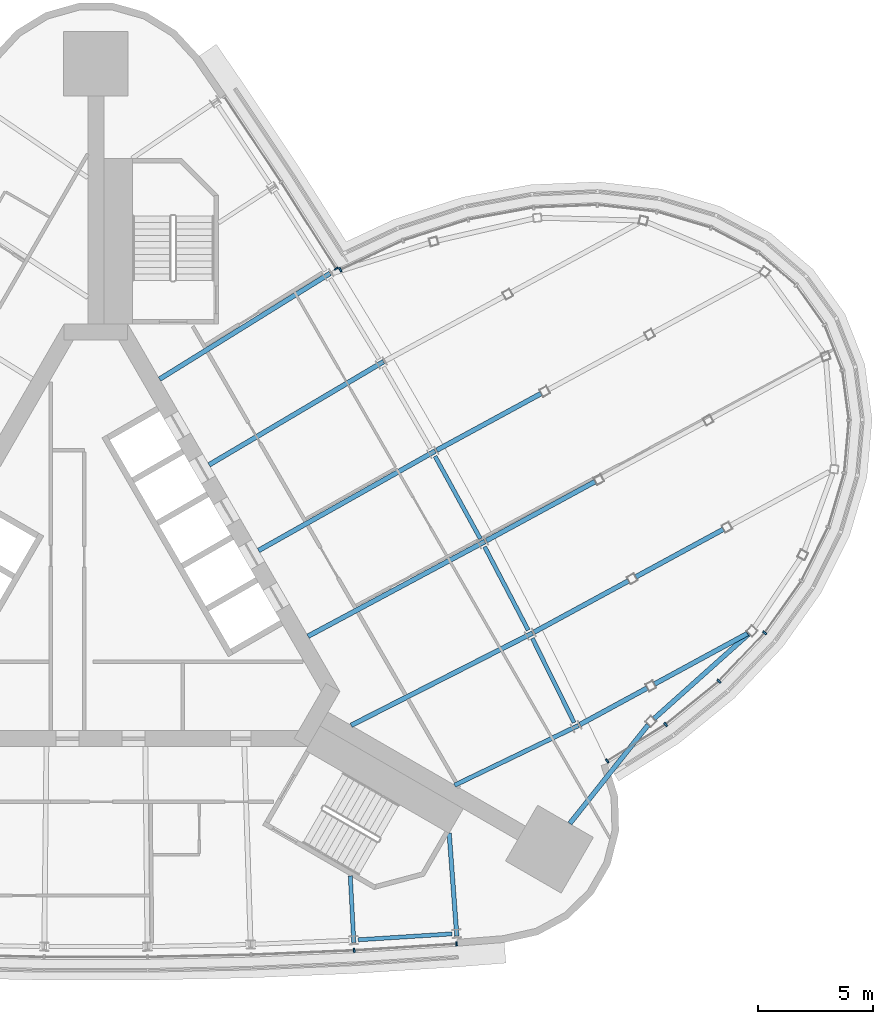
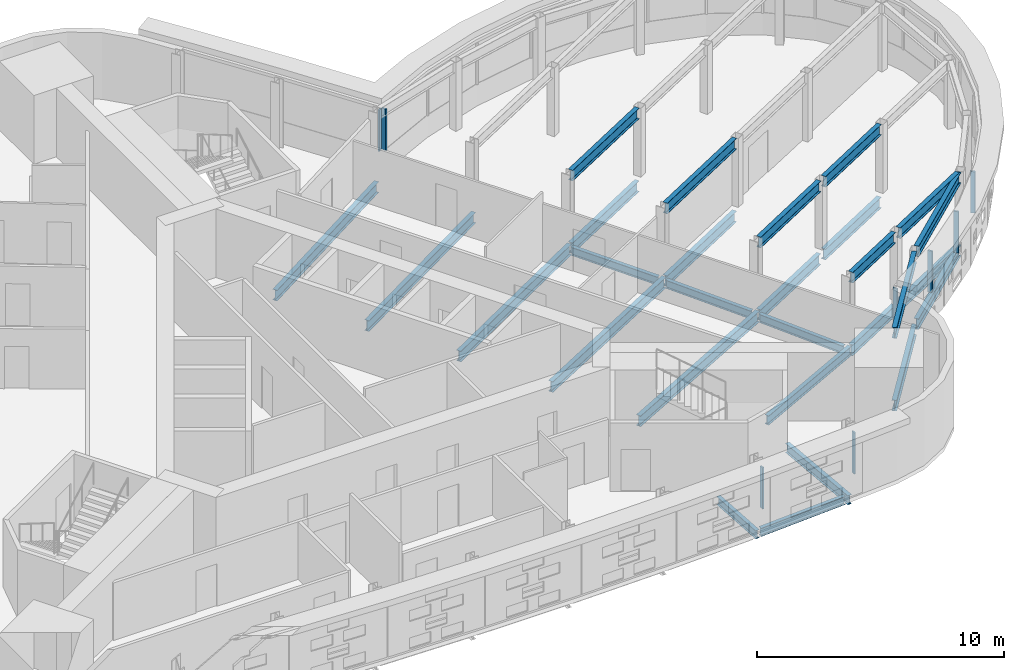
# One storey, part 6 of 15: 28 beams, 8 members, 3 elements without a shape of their own.
"""IFC4 building model written with IfcOpenShell, lengths in metres."""

from ifc_helpers import new_model, si_unit, direction, frame, origin, origin_2d, place, context, subcontext, project, spatial, rectangle, i_section, extrude, material, material_profile, profile_set, type_object, element, aggregate, save


model = new_model("IFC4")

# Units and contexts
model_context = context("Model", 3, precision=1e-05, world=origin(), true_north=direction((0.0, 1.0)))
body_context = subcontext(model_context, "Body", "Model", "MODEL_VIEW")
ifc_project = project(units=[si_unit("LENGTHUNIT", "METRE"), si_unit("AREAUNIT", "SQUARE_METRE"), si_unit("VOLUMEUNIT", "CUBIC_METRE"), si_unit("PLANEANGLEUNIT", "RADIAN"), si_unit("MASSUNIT", "GRAM", prefix="KILO")], contexts=[model_context])

# Site, building, storey
site_placement = place(None, origin())
site = spatial("IfcSite", under=ifc_project, at=site_placement, CompositionType="ELEMENT")
building_placement = place(site_placement, origin())
building = spatial("IfcBuilding", under=site, at=building_placement, Name="Noor Cloister Tower", CompositionType="ELEMENT")
storey_placement = place(building_placement, frame((0.0, 0.0, 181.5)))
storey = spatial("IfcBuildingStorey", under=building, at=storey_placement, Name="L46", CompositionType="ELEMENT", Elevation=181.5)

# Curtain wall, members
ifc_material_1 = material(Name="Aluminium 6063-T6 anodised", Category="aluminium")
curtain_wall_type_1 = type_object("IfcCurtainWallType", Name="Sky bar curtain wall, lower bars CW2", PredefinedType="NOTDEFINED", material=ifc_material_1)
curtain_wall_1_placement = place(storey_placement, origin())
curtain_wall_1 = element("IfcCurtainWall", 1, at=curtain_wall_1_placement, inside=storey, type_object=curtain_wall_type_1, Name="CW2 L46 NE sky bar run 3", PredefinedType="NOTDEFINED")
ifc_material_2 = material(Name="Aluminium 6063-T6 anodised", Category="aluminium")
ifc_material_profile_1 = material_profile(ifc_material_2, rectangle(XDim=0.199951171875, YDim=0.080078125, at=origin_2d()), Name="200 x 80 mullion")
ifc_profile_set_1 = profile_set([ifc_material_profile_1], Name="Aluminium 6063-T6 anodised")
member_type_1 = type_object("IfcMemberType", Name="Mullion CW2 80 x 200", PredefinedType="MULLION", material=ifc_profile_set_1)
member_1_placement = place(storey_placement, frame((22.245849609375, -7.55615234375, 1.10009765625), z_axis=(0.0, 0.0, 1.0), x_axis=(-0.530209130186, 0.84786689891, 0.0)))
member_1 = element("IfcMember", 2, at=member_1_placement, type_object=member_type_1, Name="CW2 mullion 1", PredefinedType="MULLION", context=body_context, shape_type="SweptSolid", body=[
    extrude(rectangle(XDim=0.199951171875, YDim=0.080078125, at=origin_2d()), origin(), (0.0, 0.0, 1.0), 2.0498046875),
])
member_2_placement = place(storey_placement, frame((24.7880859375, -5.966552734375, 1.10009765625), z_axis=(0.0, 0.0, 1.0), x_axis=(-0.581874396792, 0.81327866464, 0.0)))
member_2 = element("IfcMember", 3, at=member_2_placement, type_object=member_type_1, Name="CW2 mullion 2", PredefinedType="MULLION", context=body_context, shape_type="SweptSolid", body=[
    extrude(rectangle(XDim=0.199951171875, YDim=0.080078125, at=origin_2d()), origin(), (0.0, 0.0, 1.0), 2.0498046875),
])
member_3_placement = place(storey_placement, frame((27.103271484375, -4.08203125, 1.10009765625), z_axis=(0.0, 0.0, 1.0), x_axis=(-0.680412465935, 0.732829363632, 0.0)))
member_3 = element("IfcMember", 4, at=member_3_placement, type_object=member_type_1, Name="CW2 mullion 3", PredefinedType="MULLION", context=body_context, shape_type="SweptSolid", body=[
    extrude(rectangle(XDim=0.199951171875, YDim=0.080078125, at=origin_2d()), origin(), (0.0, 0.0, 1.0), 2.0498046875),
])
member_4_placement = place(storey_placement, frame((29.092041015625, -1.978271484375, 1.10009765625), z_axis=(0.0, 0.0, 1.0), x_axis=(-0.773025810349, 0.63437457116, 0.0)))
member_4 = element("IfcMember", 5, at=member_4_placement, type_object=member_type_1, Name="CW2 mullion 4", PredefinedType="MULLION", context=body_context, shape_type="SweptSolid", body=[
    extrude(rectangle(XDim=0.199951171875, YDim=0.080078125, at=origin_2d()), origin(), (0.0, 0.0, 1.0), 2.0498046875),
])
member_5_placement = place(storey_placement, frame((10.63671875, 13.81494140625, 1.10009765625), z_axis=(0.0, 0.0, 1.0), x_axis=(0.42267033408, -0.906283503485, 0.0)))
member_5 = element("IfcMember", 6, at=member_5_placement, type_object=member_type_1, Name="CW2 mullion 19", PredefinedType="MULLION", context=body_context, shape_type="SweptSolid", body=[
    extrude(rectangle(XDim=0.199951171875, YDim=0.080078125, at=origin_2d()), origin(), (0.0, 0.0, 1.0), 2.0498046875),
])
aggregate(curtain_wall_1, [member_1, member_2, member_3, member_4, member_5])

ifc_material_3 = material(Name="Aluminium 6063-T6 anodised", Category="aluminium")
curtain_wall_type_2 = type_object("IfcCurtainWallType", Name="Ribbon curtain wall, upper tower CW5", PredefinedType="NOTDEFINED", material=ifc_material_3)
curtain_wall_2_placement = place(storey_placement, origin())
curtain_wall_2 = element("IfcCurtainWall", 7, at=curtain_wall_2_placement, inside=storey, type_object=curtain_wall_type_2, Name="CW5 L46 S run 2", PredefinedType="NOTDEFINED")
ifc_material_4 = material(Name="Aluminium 6063-T6 anodised", Category="aluminium")
ifc_material_profile_2 = material_profile(ifc_material_4, rectangle(XDim=0.179931640625, YDim=0.070068359375, at=origin_2d()), Name="180 x 70 mullion")
ifc_profile_set_2 = profile_set([ifc_material_profile_2], Name="Aluminium 6063-T6 anodised")
member_type_2 = type_object("IfcMemberType", Name="Mullion CW5 70 x 180", PredefinedType="MULLION", material=ifc_profile_set_2)
member_6_placement = place(storey_placement, frame((11.239501953125, -15.797607421875, 1.10009765625), z_axis=(0.0, 0.0, 1.0), x_axis=(-0.052929225413, 0.99859826612, 0.0)))
member_6 = element("IfcMember", 8, at=member_6_placement, type_object=member_type_2, Name="CW5 mullion 7", PredefinedType="MULLION", context=body_context, shape_type="SweptSolid", body=[
    extrude(rectangle(XDim=0.179931640625, YDim=0.070068359375, at=origin_2d()), origin(), (0.0, 0.0, 1.0), 2.0498046875),
])
member_7_placement = place(storey_placement, frame((15.6943359375, -15.51416015625, 1.10009765625), z_axis=(0.0, 0.0, 1.0), x_axis=(-0.063502011378, 0.997981710529, 0.0)))
member_7 = element("IfcMember", 9, at=member_7_placement, type_object=member_type_2, Name="CW5 mullion 8", PredefinedType="MULLION", context=body_context, shape_type="SweptSolid", body=[
    extrude(rectangle(XDim=0.179931640625, YDim=0.070068359375, at=origin_2d()), origin(), (0.0, 0.0, 1.0), 2.0498046875),
])
aggregate(curtain_wall_2, [member_6, member_7])

# Curtain wall, member
curtain_wall_3_placement = place(storey_placement, origin())
curtain_wall_3 = element("IfcCurtainWall", 10, at=curtain_wall_3_placement, inside=storey, type_object=curtain_wall_type_2, Name="CW5 L46 NE run 4", PredefinedType="NOTDEFINED")
member_8_placement = place(storey_placement, frame((10.455078125, 13.864501953125, 1.10009765625), z_axis=(0.0, 0.0, 1.0), x_axis=(-0.844073158066, -0.536228033426, 0.0)))
member_8 = element("IfcMember", 11, at=member_8_placement, type_object=member_type_2, Name="CW5 mullion 1", PredefinedType="MULLION", context=body_context, shape_type="SweptSolid", body=[
    extrude(rectangle(XDim=0.179931640625, YDim=0.070068359375, at=origin_2d()), origin(), (0.0, 0.0, 1.0), 2.0498046875),
])
aggregate(curtain_wall_3, [member_8])

# Beams
ifc_material_5 = material(Name="Steel ASTM A992 Gr 50", Category="steel")
ifc_material_profile_3 = material_profile(ifc_material_5, i_section(OverallWidth=0.208984375, OverallDepth=0.532958984375, WebThickness=0.01025390625, FlangeThickness=0.015625, FilletRadius=0.0126953125, at=origin_2d()), Name="W530x92")
ifc_profile_set_3 = profile_set([ifc_material_profile_3], Name="Steel ASTM A992 Gr 50")
beam_type_1 = type_object("IfcBeamType", Name="Pod floor beam W530x92", PredefinedType="BEAM", material=ifc_profile_set_3)
beam_1_placement = place(storey_placement, frame((21.062255859375, -5.96826171875, -0.466552734375), z_axis=(0.878731403637, 0.477316582849, 0.0), x_axis=(-0.477316582849, 0.878731403637, 0.0)))
element("IfcBeam", 12, at=beam_1_placement, inside=storey, type_object=beam_type_1, Name="Pod floor beam 3 L46 line 1 span 1", PredefinedType="BEAM", context=body_context, shape_type="SweptSolid", body=[
    extrude(i_section(OverallWidth=0.208984375, OverallDepth=0.532958984375, WebThickness=0.01025390625, FlangeThickness=0.015625, FilletRadius=0.0126953125, at=origin_2d()), origin(), (0.0, 0.0, 1.0), 3.332275390625),
])
beam_2_placement = place(storey_placement, frame((24.303466796875, -4.207763671875, -0.466552734375), z_axis=(0.878705842278, 0.477363637855, 0.0), x_axis=(-0.477363637855, 0.878705842278, 0.0)))
element("IfcBeam", 13, at=beam_2_placement, inside=storey, type_object=beam_type_1, Name="Pod floor beam 3 L46 line 1 span 2", PredefinedType="BEAM", context=body_context, shape_type="SweptSolid", body=[
    extrude(i_section(OverallWidth=0.208984375, OverallDepth=0.532958984375, WebThickness=0.01025390625, FlangeThickness=0.015625, FilletRadius=0.0126953125, at=origin_2d()), origin(), (0.0, 0.0, 1.0), 4.598876953125),
])
beam_3_placement = place(storey_placement, frame((19.0673828125, -1.94775390625, -0.466552734375), z_axis=(0.878733977195, 0.477311844942, 0.0), x_axis=(-0.477311844942, 0.878733977195, 0.0)))
element("IfcBeam", 14, at=beam_3_placement, inside=storey, type_object=beam_type_1, Name="Pod floor beam 3 L46 line 2 span 1", PredefinedType="BEAM", context=body_context, shape_type="SweptSolid", body=[
    extrude(i_section(OverallWidth=0.208984375, OverallDepth=0.532958984375, WebThickness=0.01025390625, FlangeThickness=0.015625, FilletRadius=0.0126953125, at=origin_2d()), origin(), (0.0, 0.0, 1.0), 4.677490234375),
])
beam_4_placement = place(storey_placement, frame((23.49072265625, 0.454833984375, -0.466552734375), z_axis=(0.878709161334, 0.477357528262, 0.0), x_axis=(-0.477357528262, 0.878709161334, 0.0)))
element("IfcBeam", 15, at=beam_4_placement, inside=storey, type_object=beam_type_1, Name="Pod floor beam 3 L46 line 2 span 2", PredefinedType="BEAM", context=body_context, shape_type="SweptSolid", body=[
    extrude(i_section(OverallWidth=0.208984375, OverallDepth=0.532958984375, WebThickness=0.01025390625, FlangeThickness=0.015625, FilletRadius=0.0126953125, at=origin_2d()), origin(), (0.0, 0.0, 1.0), 4.339599609375),
])
beam_5_placement = place(storey_placement, frame((16.988037109375, 2.029541015625, -0.466552734375), z_axis=(0.87870749441, 0.477360596685, 0.0), x_axis=(-0.477360596685, 0.87870749441, 0.0)))
element("IfcBeam", 16, at=beam_5_placement, inside=storey, type_object=beam_type_1, Name="Pod floor beam 3 L46 line 3 span 1", PredefinedType="BEAM", context=body_context, shape_type="SweptSolid", body=[
    extrude(i_section(OverallWidth=0.208984375, OverallDepth=0.532958984375, WebThickness=0.01025390625, FlangeThickness=0.015625, FilletRadius=0.0126953125, at=origin_2d()), origin(), (0.0, 0.0, 1.0), 5.392578125),
])
beam_6_placement = place(storey_placement, frame((14.82763671875, 5.963623046875, -0.466552734375), z_axis=(0.878718305865, 0.477340694826, 0.0), x_axis=(-0.477340694826, 0.878718305865, 0.0)))
element("IfcBeam", 17, at=beam_6_placement, inside=storey, type_object=beam_type_1, Name="Pod floor beam 3 L46 line 4 span 1", PredefinedType="BEAM", context=body_context, shape_type="SweptSolid", body=[
    extrude(i_section(OverallWidth=0.208984375, OverallDepth=0.532958984375, WebThickness=0.01025390625, FlangeThickness=0.015625, FilletRadius=0.0126953125, at=origin_2d()), origin(), (0.0, 0.0, 1.0), 5.174560546875),
])
beam_7_placement = place(storey_placement, frame((20.621826171875, -10.271728515625, -0.466552734375), z_axis=(0.622107423709, 0.78293189574, 0.0), x_axis=(-0.78293189574, 0.622107423709, 0.0)))
element("IfcBeam", 18, at=beam_7_placement, inside=storey, type_object=beam_type_1, Name="Pod floor beam 3 L46 ring 1", PredefinedType="BEAM", context=body_context, shape_type="SweptSolid", body=[
    extrude(i_section(OverallWidth=0.208984375, OverallDepth=0.532958984375, WebThickness=0.01025390625, FlangeThickness=0.015625, FilletRadius=0.0126953125, at=origin_2d()), origin(), (0.0, 0.0, 1.0), 5.47265625),
])
beam_8_placement = place(storey_placement, frame((24.282470703125, -5.71484375, -0.466552734375), z_axis=(0.745362655337, 0.666659217313, 0.0), x_axis=(-0.666659217313, 0.745362655337, 0.0)))
element("IfcBeam", 19, at=beam_8_placement, inside=storey, type_object=beam_type_1, Name="Pod floor beam 3 L46 ring 2", PredefinedType="BEAM", context=body_context, shape_type="SweptSolid", body=[
    extrude(i_section(OverallWidth=0.208984375, OverallDepth=0.532958984375, WebThickness=0.01025390625, FlangeThickness=0.015625, FilletRadius=0.0126953125, at=origin_2d()), origin(), (0.0, 0.0, 1.0), 5.524658203125),
])
beam_9_placement = place(storey_placement, frame((21.062255859375, -5.96826171875, 3.133544921875), z_axis=(0.878731403637, 0.477316582849, 0.0), x_axis=(-0.477316582849, 0.878731403637, 0.0)))
element("IfcBeam", 20, at=beam_9_placement, inside=storey, type_object=beam_type_1, Name="Pod floor beam 3 L47 line 1 span 1", PredefinedType="BEAM", context=body_context, shape_type="SweptSolid", body=[
    extrude(i_section(OverallWidth=0.208984375, OverallDepth=0.532958984375, WebThickness=0.01025390625, FlangeThickness=0.015625, FilletRadius=0.0126953125, at=origin_2d()), origin(), (0.0, 0.0, 1.0), 3.332275390625),
])
beam_10_placement = place(storey_placement, frame((24.303466796875, -4.207763671875, 3.133544921875), z_axis=(0.878705842278, 0.477363637855, 0.0), x_axis=(-0.477363637855, 0.878705842278, 0.0)))
element("IfcBeam", 21, at=beam_10_placement, inside=storey, type_object=beam_type_1, Name="Pod floor beam 3 L47 line 1 span 2", PredefinedType="BEAM", context=body_context, shape_type="SweptSolid", body=[
    extrude(i_section(OverallWidth=0.208984375, OverallDepth=0.532958984375, WebThickness=0.01025390625, FlangeThickness=0.015625, FilletRadius=0.0126953125, at=origin_2d()), origin(), (0.0, 0.0, 1.0), 4.598876953125),
])
beam_11_placement = place(storey_placement, frame((19.0673828125, -1.94775390625, 3.133544921875), z_axis=(0.878733977195, 0.477311844942, 0.0), x_axis=(-0.477311844942, 0.878733977195, 0.0)))
element("IfcBeam", 22, at=beam_11_placement, inside=storey, type_object=beam_type_1, Name="Pod floor beam 3 L47 line 2 span 1", PredefinedType="BEAM", context=body_context, shape_type="SweptSolid", body=[
    extrude(i_section(OverallWidth=0.208984375, OverallDepth=0.532958984375, WebThickness=0.01025390625, FlangeThickness=0.015625, FilletRadius=0.0126953125, at=origin_2d()), origin(), (0.0, 0.0, 1.0), 4.677490234375),
])
beam_12_placement = place(storey_placement, frame((23.49072265625, 0.454833984375, 3.133544921875), z_axis=(0.878709161334, 0.477357528262, 0.0), x_axis=(-0.477357528262, 0.878709161334, 0.0)))
element("IfcBeam", 23, at=beam_12_placement, inside=storey, type_object=beam_type_1, Name="Pod floor beam 3 L47 line 2 span 2", PredefinedType="BEAM", context=body_context, shape_type="SweptSolid", body=[
    extrude(i_section(OverallWidth=0.208984375, OverallDepth=0.532958984375, WebThickness=0.01025390625, FlangeThickness=0.015625, FilletRadius=0.0126953125, at=origin_2d()), origin(), (0.0, 0.0, 1.0), 4.339599609375),
])
beam_13_placement = place(storey_placement, frame((16.988037109375, 2.029541015625, 3.133544921875), z_axis=(0.87870749441, 0.477360596685, 0.0), x_axis=(-0.477360596685, 0.87870749441, 0.0)))
element("IfcBeam", 24, at=beam_13_placement, inside=storey, type_object=beam_type_1, Name="Pod floor beam 3 L47 line 3 span 1", PredefinedType="BEAM", context=body_context, shape_type="SweptSolid", body=[
    extrude(i_section(OverallWidth=0.208984375, OverallDepth=0.532958984375, WebThickness=0.01025390625, FlangeThickness=0.015625, FilletRadius=0.0126953125, at=origin_2d()), origin(), (0.0, 0.0, 1.0), 5.392578125),
])
beam_14_placement = place(storey_placement, frame((14.82763671875, 5.963623046875, 3.133544921875), z_axis=(0.878718305865, 0.477340694826, 0.0), x_axis=(-0.477340694826, 0.878718305865, 0.0)))
element("IfcBeam", 25, at=beam_14_placement, inside=storey, type_object=beam_type_1, Name="Pod floor beam 3 L47 line 4 span 1", PredefinedType="BEAM", context=body_context, shape_type="SweptSolid", body=[
    extrude(i_section(OverallWidth=0.208984375, OverallDepth=0.532958984375, WebThickness=0.01025390625, FlangeThickness=0.015625, FilletRadius=0.0126953125, at=origin_2d()), origin(), (0.0, 0.0, 1.0), 5.174560546875),
])
beam_15_placement = place(storey_placement, frame((20.621826171875, -10.271728515625, 3.133544921875), z_axis=(0.622107423709, 0.78293189574, 0.0), x_axis=(-0.78293189574, 0.622107423709, 0.0)))
element("IfcBeam", 26, at=beam_15_placement, inside=storey, type_object=beam_type_1, Name="Pod floor beam 3 L47 ring 1", PredefinedType="BEAM", context=body_context, shape_type="SweptSolid", body=[
    extrude(i_section(OverallWidth=0.208984375, OverallDepth=0.532958984375, WebThickness=0.01025390625, FlangeThickness=0.015625, FilletRadius=0.0126953125, at=origin_2d()), origin(), (0.0, 0.0, 1.0), 5.47265625),
])
beam_16_placement = place(storey_placement, frame((24.282470703125, -5.71484375, 3.133544921875), z_axis=(0.745362655337, 0.666659217313, 0.0), x_axis=(-0.666659217313, 0.745362655337, 0.0)))
element("IfcBeam", 27, at=beam_16_placement, inside=storey, type_object=beam_type_1, Name="Pod floor beam 3 L47 ring 2", PredefinedType="BEAM", context=body_context, shape_type="SweptSolid", body=[
    extrude(i_section(OverallWidth=0.208984375, OverallDepth=0.532958984375, WebThickness=0.01025390625, FlangeThickness=0.015625, FilletRadius=0.0126953125, at=origin_2d()), origin(), (0.0, 0.0, 1.0), 5.524658203125),
])
ifc_material_6 = material(Name="Steel ASTM A992 Gr 50", Category="steel")
ifc_material_profile_4 = material_profile(ifc_material_6, i_section(OverallWidth=0.177978515625, OverallDepth=0.406005859375, WebThickness=0.0078125, FlangeThickness=0.0126953125, FilletRadius=0.01025390625, at=origin_2d()), Name="W410x60")
ifc_profile_set_4 = profile_set([ifc_material_profile_4], Name="Steel ASTM A992 Gr 50")
beam_type_2 = type_object("IfcBeamType", Name="Radial beam W410x60", PredefinedType="BEAM", material=ifc_profile_set_4)
beam_17_placement = place(storey_placement, frame((11.2216796875, -15.4599609375, -0.403076171875), z_axis=(-0.052963490768, 0.998596449346, 0.0), x_axis=(-0.998596449346, -0.052963490768, 0.0)))
element("IfcBeam", 28, at=beam_17_placement, inside=storey, type_object=beam_type_2, Name="Radial beam S 07 L46", PredefinedType="BEAM", context=body_context, shape_type="SweptSolid", body=[
    extrude(i_section(OverallWidth=0.177978515625, OverallDepth=0.406005859375, WebThickness=0.0078125, FlangeThickness=0.0126953125, FilletRadius=0.01025390625, at=origin_2d()), origin(), (0.0, 0.0, 1.0), 2.913330078125),
])
ifc_material_7 = material(Name="Steel ASTM A992 Gr 50", Category="steel")
ifc_material_profile_5 = material_profile(ifc_material_7, i_section(OverallWidth=0.19091796875, OverallDepth=0.45703125, WebThickness=0.009033203125, FlangeThickness=0.014404296875, FilletRadius=0.01025390625, at=origin_2d()), Name="W460x74")
ifc_profile_set_5 = profile_set([ifc_material_profile_5], Name="Steel ASTM A992 Gr 50")
beam_type_3 = type_object("IfcBeamType", Name="Radial beam W460x74", PredefinedType="BEAM", material=ifc_profile_set_5)
beam_18_placement = place(storey_placement, frame((15.703125, -15.1748046875, -0.428466796875), z_axis=(-0.074063693337, 0.997253513069, 0.0), x_axis=(-0.997253513069, -0.074063693337, 0.0)))
element("IfcBeam", 29, at=beam_18_placement, inside=storey, type_object=beam_type_3, Name="Radial beam S 08 L46", PredefinedType="BEAM", context=body_context, shape_type="SweptSolid", body=[
    extrude(i_section(OverallWidth=0.19091796875, OverallDepth=0.45703125, WebThickness=0.009033203125, FlangeThickness=0.014404296875, FilletRadius=0.01025390625, at=origin_2d()), origin(), (0.0, 0.0, 1.0), 4.496337890625),
])
beam_19_placement = place(storey_placement, frame((20.993408203125, -6.011962890625, -0.428466796875), z_axis=(-0.900685053189, -0.434472594028, 0.0), x_axis=(0.434472594028, -0.900685053189, 0.0)))
element("IfcBeam", 30, at=beam_19_placement, inside=storey, type_object=beam_type_3, Name="Radial beam NE 01 L46", PredefinedType="BEAM", context=body_context, shape_type="SweptSolid", body=[
    extrude(i_section(OverallWidth=0.19091796875, OverallDepth=0.45703125, WebThickness=0.009033203125, FlangeThickness=0.014404296875, FilletRadius=0.01025390625, at=origin_2d()), origin(), (0.0, 0.0, 1.0), 5.9765625),
])
ifc_material_8 = material(Name="Steel ASTM A992 Gr 50", Category="steel")
ifc_material_profile_6 = material_profile(ifc_material_8, i_section(OverallWidth=0.208984375, OverallDepth=0.532958984375, WebThickness=0.01025390625, FlangeThickness=0.015625, FilletRadius=0.0126953125, at=origin_2d()), Name="W530x92")
ifc_profile_set_6 = profile_set([ifc_material_profile_6], Name="Steel ASTM A992 Gr 50")
beam_type_4 = type_object("IfcBeamType", Name="Radial beam W530x92", PredefinedType="BEAM", material=ifc_profile_set_6)
beam_20_placement = place(storey_placement, frame((18.99951171875, -1.988037109375, -0.466552734375), z_axis=(-0.891275100138, -0.453463003864, 0.0), x_axis=(0.453463003864, -0.891275100138, 0.0)))
element("IfcBeam", 31, at=beam_20_placement, inside=storey, type_object=beam_type_4, Name="Radial beam NE 02 L46", PredefinedType="BEAM", context=body_context, shape_type="SweptSolid", body=[
    extrude(i_section(OverallWidth=0.208984375, OverallDepth=0.532958984375, WebThickness=0.01025390625, FlangeThickness=0.015625, FilletRadius=0.0126953125, at=origin_2d()), origin(), (0.0, 0.0, 1.0), 8.8603515625),
])
beam_21_placement = place(storey_placement, frame((16.9208984375, 1.992431640625, -0.466552734375), z_axis=(-0.881477058611, -0.472226847122, 0.0), x_axis=(0.472226847122, -0.881477058611, 0.0)))
element("IfcBeam", 32, at=beam_21_placement, inside=storey, type_object=beam_type_4, Name="Radial beam NE 03 L46", PredefinedType="BEAM", context=body_context, shape_type="SweptSolid", body=[
    extrude(i_section(OverallWidth=0.208984375, OverallDepth=0.532958984375, WebThickness=0.01025390625, FlangeThickness=0.015625, FilletRadius=0.0126953125, at=origin_2d()), origin(), (0.0, 0.0, 1.0), 8.726318359375),
])
for number, where, z_axis, x_axis, name in (
    (33, (14.758544921875, 5.92822265625, -0.466552734375), (-0.871276643903, -0.490792226701, 0.0), (0.490792226701, -0.871276643903, 0.0), "Radial beam NE 04 L46"),
    (34, (12.51318359375, 9.817138671875, -0.466552734375), (-0.860676725075, -0.509151819122, 0.0), (0.509151819122, -0.860676725075, 0.0), "Radial beam NE 05 L46"),
):
    element("IfcBeam", number, at=place(storey_placement, frame(where, z_axis=z_axis, x_axis=x_axis)), inside=storey, type_object=beam_type_4, Name=name, PredefinedType="BEAM", context=body_context, shape_type="SweptSolid", body=[
        extrude(i_section(OverallWidth=0.208984375, OverallDepth=0.532958984375, WebThickness=0.01025390625, FlangeThickness=0.015625, FilletRadius=0.0126953125, at=origin_2d()), origin(), (0.0, 0.0, 1.0), 8.817626953125),
    ])
beam_22_placement = place(storey_placement, frame((10.18603515625, 13.65771484375, -0.466552734375), z_axis=(-0.849702407051, -0.52726257164, 0.0), x_axis=(0.52726257164, -0.849702407051, 0.0)))
element("IfcBeam", 35, at=beam_22_placement, inside=storey, type_object=beam_type_4, Name="Radial beam NE 06 L46", PredefinedType="BEAM", context=body_context, shape_type="SweptSolid", body=[
    extrude(i_section(OverallWidth=0.208984375, OverallDepth=0.532958984375, WebThickness=0.01025390625, FlangeThickness=0.015625, FilletRadius=0.0126953125, at=origin_2d()), origin(), (0.0, 0.0, 1.0), 8.726318359375),
])
ifc_material_9 = material(Name="Steel ASTM A992 Gr 50", Category="steel")
ifc_material_profile_7 = material_profile(ifc_material_9, i_section(OverallWidth=0.177978515625, OverallDepth=0.406005859375, WebThickness=0.0078125, FlangeThickness=0.0126953125, FilletRadius=0.01025390625, at=origin_2d()), Name="W410x60")
ifc_profile_set_7 = profile_set([ifc_material_profile_7], Name="Steel ASTM A992 Gr 50")
beam_type_5 = type_object("IfcBeamType", Name="Spandrel beam W410x60", PredefinedType="SPANDREL", material=ifc_profile_set_7)
for number, where, z_axis, x_axis, name in (
    (36, (11.412353515625, -15.335693359375, -0.403076171875), (0.99798140433, 0.063506823352, 0.0), (-0.063506823352, 0.99798140433, 0.0), "Spandrel beam S 07 L46"),
    (37, (20.804931640625, -5.884033203125, -0.403076171875), (-0.444014503497, 0.896019598382, 0.0), (-0.896019598382, -0.444014503497, 0.0), "Spandrel beam NE 01 L46"),
    (38, (18.80859375, -1.8642578125, -0.403076171875), (-0.462910374698, 0.886405090801, 0.0), (-0.886405090801, -0.462910374698, 0.0), "Spandrel beam NE 02 L46"),
):
    element("IfcBeam", number, at=place(storey_placement, frame(where, z_axis=z_axis, x_axis=x_axis)), inside=storey, type_object=beam_type_5, Name=name, PredefinedType="SPANDREL", context=body_context, shape_type="SweptSolid", body=[
        extrude(i_section(OverallWidth=0.177978515625, OverallDepth=0.406005859375, WebThickness=0.0078125, FlangeThickness=0.0126953125, FilletRadius=0.01025390625, at=origin_2d()), origin(), (0.0, 0.0, 1.0), 4.09423828125),
    ])
beam_23_placement = place(storey_placement, frame((16.727294921875, 2.1123046875, -0.403076171875), z_axis=(-0.481536411785, 0.876426085945, 0.0), x_axis=(-0.876426085945, -0.481536411785, 0.0)))
element("IfcBeam", 39, at=beam_23_placement, inside=storey, type_object=beam_type_5, Name="Spandrel beam NE 03 L46", PredefinedType="SPANDREL", context=body_context, shape_type="SweptSolid", body=[
    extrude(i_section(OverallWidth=0.177978515625, OverallDepth=0.406005859375, WebThickness=0.0078125, FlangeThickness=0.0126953125, FilletRadius=0.01025390625, at=origin_2d()), origin(), (0.0, 0.0, 1.0), 4.093994140625),
])

save(model, "model.ifc")
